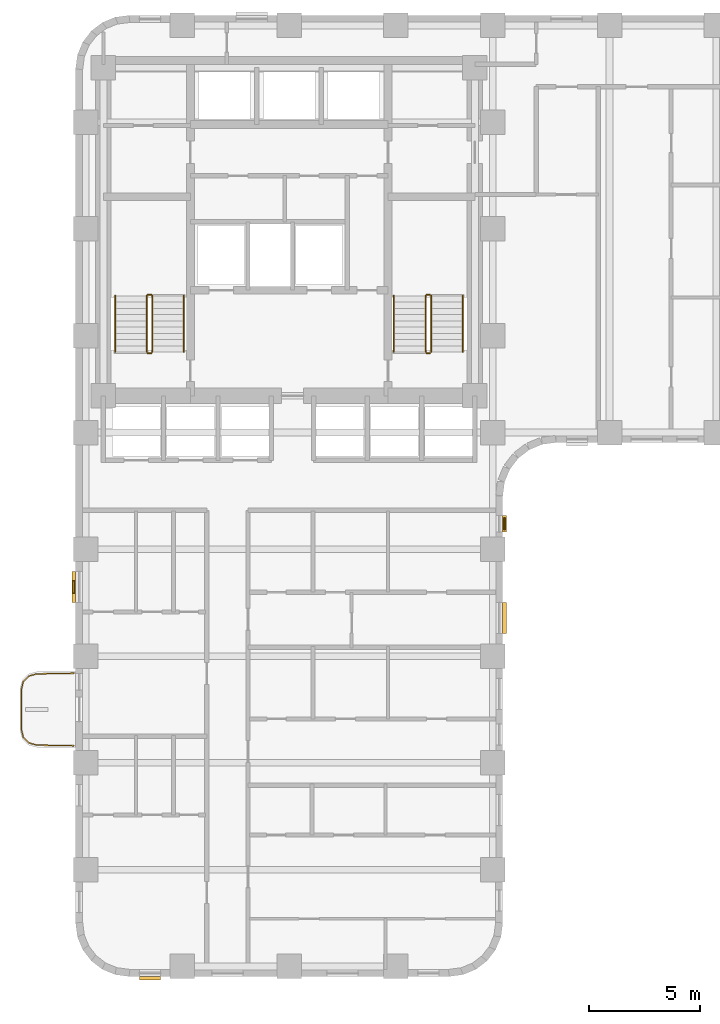
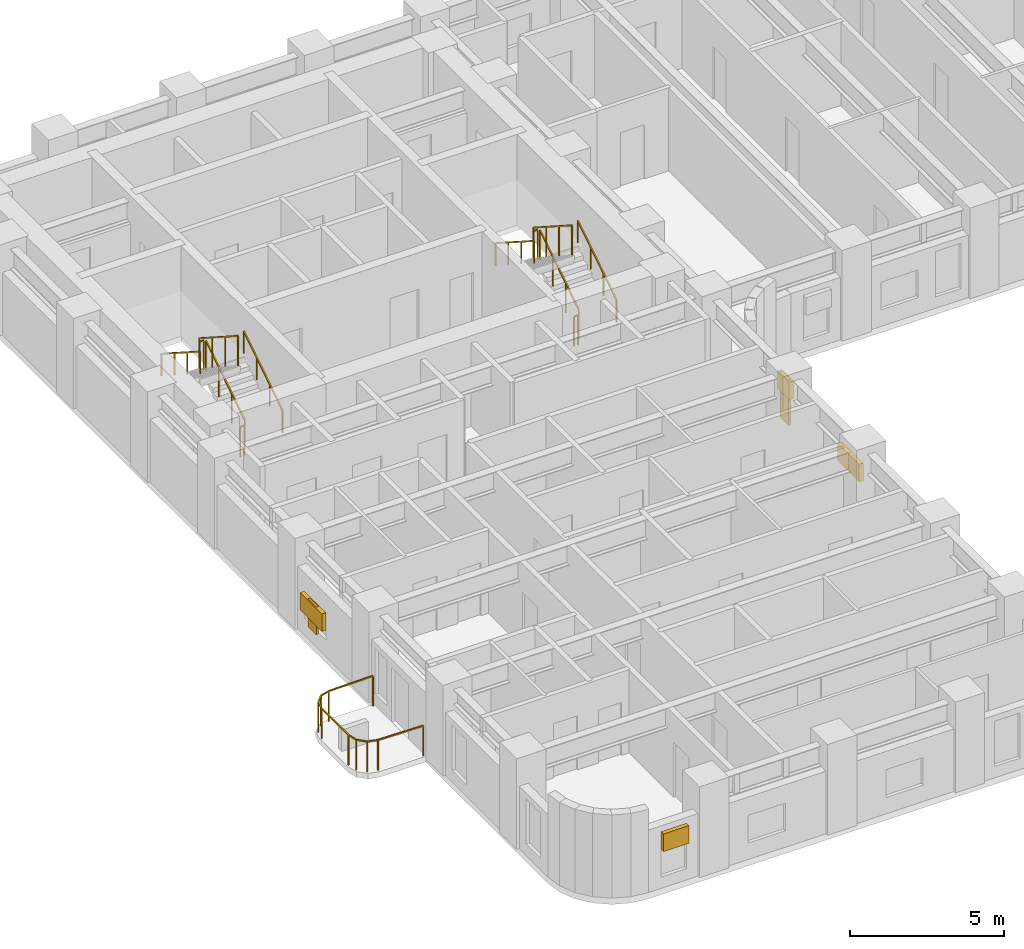
# One storey, part 9 of 11: 13 railings, 6 shading devices.
"""IFC4 building model written with IfcOpenShell, lengths in metres."""

from ifc_helpers import new_model, si_unit, direction, frame, origin, origin_2d, place, context, subcontext, project, spatial, rectangle, extrude, material, type_object, element, save


model = new_model("IFC4")

# Units and contexts
model_context = context("Model", 3, precision=1e-05, world=origin(), true_north=direction((0.0, 1.0)))
body_context = subcontext(model_context, "Body", "Model", "MODEL_VIEW")
ifc_project = project(units=[si_unit("LENGTHUNIT", "METRE"), si_unit("AREAUNIT", "SQUARE_METRE"), si_unit("VOLUMEUNIT", "CUBIC_METRE"), si_unit("PLANEANGLEUNIT", "RADIAN"), si_unit("MASSUNIT", "GRAM", prefix="KILO")], contexts=[model_context])

# Site, building, storey
site_placement = place(None, origin())
site = spatial("IfcSite", under=ifc_project, at=site_placement, CompositionType="ELEMENT")
building_placement = place(site_placement, origin())
building = spatial("IfcBuilding", under=site, at=building_placement, Name="Orvandelia Arch Residences", CompositionType="ELEMENT")
storey_placement = place(building_placement, frame((0.0, 0.0, 93.39990234375)))
storey = spatial("IfcBuildingStorey", under=building, at=storey_placement, Name="L24", CompositionType="ELEMENT", Elevation=93.39990234375)

# Railings
ifc_material_1 = material(Name="Marine-Grade Stainless Steel 316", Category="steel")
railing_type_1 = type_object("IfcRailingType", Name="GRD-BAL-1200", PredefinedType="BALUSTRADE", material=ifc_material_1)
railing_1_placement = place(storey_placement, frame((4.728271484375, 18.430419921875, 0.0)))
element("IfcRailing", 1, at=railing_1_placement, inside=storey, type_object=railing_type_1, Name="Safety Balustrade Guard GRD-L24-BAL-L24-W1-1", PredefinedType="BALUSTRADE", context=body_context, shape_type="SweptSolid", body=[
    extrude(rectangle(XDim=0.048095703125, YDim=0.048095703125, at=origin_2d()), frame((0.0, 0.0, 1.19580078125), z_axis=(-0.999834751713, -0.018178813668, 0.0), x_axis=(0.018178813668, -0.999834751713, 0.0)), (0.0, 0.0, 1.0), 1.6787109375),
    extrude(rectangle(XDim=0.048095703125, YDim=0.048095703125, at=origin_2d()), frame((-1.678466796875, -0.030517578125, 1.19580078125), z_axis=(-0.96348920644, -0.267747173792, 0.0), x_axis=(0.267747173792, -0.96348920644, 0.0)), (0.0, 0.0, 1.0), 0.36572265625),
    extrude(rectangle(XDim=0.048095703125, YDim=0.048095703125, at=origin_2d()), frame((-2.03076171875, -0.12841796875, 1.19580078125), z_axis=(-0.688627404251, -0.725115368831, 0.0), x_axis=(0.725115368831, -0.688627404251, 0.0)), (0.0, 0.0, 1.0), 0.367919921875),
    extrude(rectangle(XDim=0.048095703125, YDim=0.048095703125, at=origin_2d()), frame((-2.2841796875, -0.395263671875, 1.19580078125), z_axis=(-0.220602419982, -0.975363815352, 0.0), x_axis=(0.975363815352, -0.220602419982, 0.0)), (0.0, 0.0, 1.0), 0.373046875),
    extrude(rectangle(XDim=0.048095703125, YDim=0.048095703125, at=origin_2d()), frame((-2.366455078125, -0.759033203125, 1.19580078125), z_axis=(0.0, -1.0, 0.0), x_axis=(1.0, 0.0, 0.0)), (0.0, 0.0, 1.0), 1.74267578125),
    extrude(rectangle(XDim=0.048095703125, YDim=0.048095703125, at=origin_2d()), frame((-2.366455078125, -2.501708984375, 1.19580078125), z_axis=(0.220602419982, -0.975363815352, 0.0), x_axis=(0.975363815352, 0.220602419982, 0.0)), (0.0, 0.0, 1.0), 0.373046875),
    extrude(rectangle(XDim=0.048095703125, YDim=0.048095703125, at=origin_2d()), frame((-2.2841796875, -2.865478515625, 1.19580078125), z_axis=(0.688296224633, -0.725429739642, 0.0), x_axis=(0.725429739642, 0.688296224633, 0.0)), (0.0, 0.0, 1.0), 0.3681640625),
    extrude(rectangle(XDim=0.048095703125, YDim=0.048095703125, at=origin_2d()), frame((-2.03076171875, -3.132568359375, 1.19580078125), z_axis=(0.96348920644, -0.267747173792, 0.0), x_axis=(0.267747173792, 0.96348920644, 0.0)), (0.0, 0.0, 1.0), 0.36572265625),
    extrude(rectangle(XDim=0.048095703125, YDim=0.048095703125, at=origin_2d()), frame((-1.678466796875, -3.23046875, 1.19580078125), z_axis=(0.999837384468, -0.018033430643, 0.0), x_axis=(0.018033430643, 0.999837384468, 0.0)), (0.0, 0.0, 1.0), 1.6787109375),
    extrude(rectangle(XDim=0.0419921875, YDim=0.0419921875, at=origin_2d()), origin(), (0.0, 0.0, 1.0), 1.171875),
    extrude(rectangle(XDim=0.0419921875, YDim=0.0419921875, at=origin_2d()), frame((-1.678466796875, -0.030517578125, 0.0)), (0.0, 0.0, 1.0), 1.171875),
    extrude(rectangle(XDim=0.0419921875, YDim=0.0419921875, at=origin_2d()), frame((-2.03076171875, -0.12841796875, 0.0)), (0.0, 0.0, 1.0), 1.171875),
    extrude(rectangle(XDim=0.0419921875, YDim=0.0419921875, at=origin_2d()), frame((-2.2841796875, -0.395263671875, 0.0)), (0.0, 0.0, 1.0), 1.171875),
    extrude(rectangle(XDim=0.0419921875, YDim=0.0419921875, at=origin_2d()), frame((-2.366455078125, -0.759033203125, 0.0)), (0.0, 0.0, 1.0), 1.171875),
    extrude(rectangle(XDim=0.0419921875, YDim=0.0419921875, at=origin_2d()), frame((-2.366455078125, -2.501708984375, 0.0)), (0.0, 0.0, 1.0), 1.171875),
    extrude(rectangle(XDim=0.0419921875, YDim=0.0419921875, at=origin_2d()), frame((-2.2841796875, -2.865478515625, 0.0)), (0.0, 0.0, 1.0), 1.171875),
    extrude(rectangle(XDim=0.0419921875, YDim=0.0419921875, at=origin_2d()), frame((-2.03076171875, -3.132568359375, 0.0)), (0.0, 0.0, 1.0), 1.171875),
    extrude(rectangle(XDim=0.0419921875, YDim=0.0419921875, at=origin_2d()), frame((-1.678466796875, -3.23046875, 0.0)), (0.0, 0.0, 1.0), 1.171875),
    extrude(rectangle(XDim=0.0419921875, YDim=0.0419921875, at=origin_2d()), frame((0.0, -3.2607421875, 0.0)), (0.0, 0.0, 1.0), 1.171875),
])
ifc_material_2 = material(Name="Brushed Stainless Steel 304", Category="steel")
railing_type_2 = type_object("IfcRailingType", Name="RL-STAIR-GD1120", PredefinedType="GUARDRAIL", material=ifc_material_2)
railing_2_placement = place(storey_placement, frame((8.25, 32.8701171875, 0.18017578125)))
element("IfcRailing", 2, at=railing_2_placement, inside=storey, type_object=railing_type_2, Name="L24 ST-1 stair guard 1", PredefinedType="GUARDRAIL", context=body_context, shape_type="SweptSolid", body=[
    extrude(rectangle(XDim=0.048095703125, YDim=0.048095703125, at=origin_2d()), frame((0.0, 0.0, 1.17578125), z_axis=(0.0, 0.841175827307, 0.540761710511), x_axis=(-1.0, 0.0, 0.0)), (0.0, 0.0, 1.0), 2.99560546875),
    extrude(rectangle(XDim=0.0419921875, YDim=0.0419921875, at=origin_2d()), origin(), (0.0, 0.0, 1.0), 1.15185546875),
    extrude(rectangle(XDim=0.0419921875, YDim=0.0419921875, at=origin_2d()), frame((0.0, 0.83984375, 0.5400390625)), (0.0, 0.0, 1.0), 1.15185546875),
    extrude(rectangle(XDim=0.0419921875, YDim=0.0419921875, at=origin_2d()), frame((0.0, 1.679931640625, 1.079833984375)), (0.0, 0.0, 1.0), 1.15185546875),
    extrude(rectangle(XDim=0.0419921875, YDim=0.0419921875, at=origin_2d()), frame((0.0, 2.519775390625, 1.619873046875)), (0.0, 0.0, 1.0), 1.15185546875),
])
railing_3_placement = place(storey_placement, frame((8.199951171875, 35.43994140625, 1.800048828125)))
element("IfcRailing", 3, at=railing_3_placement, inside=storey, type_object=railing_type_2, Name="L24 ST-1 stair guard 2", PredefinedType="GUARDRAIL", context=body_context, shape_type="SweptSolid", body=[
    extrude(rectangle(XDim=0.048095703125, YDim=0.048095703125, at=origin_2d()), frame((0.0, 0.0, 1.17578125), z_axis=(-1.0, 0.0, 0.0), x_axis=(0.0, -1.0, 0.0)), (0.0, 0.0, 1.0), 0.14990234375),
    extrude(rectangle(XDim=0.0419921875, YDim=0.0419921875, at=origin_2d()), origin(), (0.0, 0.0, 1.0), 1.15185546875),
    extrude(rectangle(XDim=0.0419921875, YDim=0.0419921875, at=origin_2d()), frame((-0.14990234375, 0.0, 0.0)), (0.0, 0.0, 1.0), 1.15185546875),
])
railing_4_placement = place(storey_placement, frame((8.0, 35.389892578125, 1.97998046875)))
element("IfcRailing", 4, at=railing_4_placement, inside=storey, type_object=railing_type_2, Name="L24 ST-1 stair guard 3", PredefinedType="GUARDRAIL", context=body_context, shape_type="SweptSolid", body=[
    extrude(rectangle(XDim=0.048095703125, YDim=0.048095703125, at=origin_2d()), frame((0.0, 0.0, 1.17578125), z_axis=(0.0, -0.841138753965, 0.540819375188), x_axis=(1.0, 0.0, 0.0)), (0.0, 0.0, 1.0), 2.99560546875),
    extrude(rectangle(XDim=0.0419921875, YDim=0.0419921875, at=origin_2d()), origin(), (0.0, 0.0, 1.0), 1.15185546875),
    extrude(rectangle(XDim=0.0419921875, YDim=0.0419921875, at=origin_2d()), frame((0.0, -0.83984375, 0.5400390625)), (0.0, 0.0, 1.0), 1.15185546875),
    extrude(rectangle(XDim=0.0419921875, YDim=0.0419921875, at=origin_2d()), frame((0.0, -1.679931640625, 1.080078125)), (0.0, 0.0, 1.0), 1.15185546875),
    extrude(rectangle(XDim=0.0419921875, YDim=0.0419921875, at=origin_2d()), frame((0.0, -2.519775390625, 1.6201171875)), (0.0, 0.0, 1.0), 1.15185546875),
])
railing_5_placement = place(storey_placement, frame((8.199951171875, 32.820068359375, 0.0)))
element("IfcRailing", 5, at=railing_5_placement, inside=storey, type_object=railing_type_2, Name="L24 ST-1 stair guard 4", PredefinedType="GUARDRAIL", context=body_context, shape_type="SweptSolid", body=[
    extrude(rectangle(XDim=0.048095703125, YDim=0.048095703125, at=origin_2d()), frame((0.0, 0.0, 1.17578125), z_axis=(-1.0, 0.0, 0.0), x_axis=(0.0, -1.0, 0.0)), (0.0, 0.0, 1.0), 0.14990234375),
    extrude(rectangle(XDim=0.0419921875, YDim=0.0419921875, at=origin_2d()), origin(), (0.0, 0.0, 1.0), 1.15185546875),
    extrude(rectangle(XDim=0.0419921875, YDim=0.0419921875, at=origin_2d()), frame((-0.14990234375, 0.0, 0.0)), (0.0, 0.0, 1.0), 1.15185546875),
])
railing_6_placement = place(storey_placement, frame((20.780029296875, 32.8701171875, 0.18017578125)))
element("IfcRailing", 6, at=railing_6_placement, inside=storey, type_object=railing_type_2, Name="L24 ST-2 stair guard 1", PredefinedType="GUARDRAIL", context=body_context, shape_type="SweptSolid", body=[
    extrude(rectangle(XDim=0.048095703125, YDim=0.048095703125, at=origin_2d()), frame((0.0, 0.0, 1.17578125), z_axis=(0.0, 0.841175827307, 0.540761710511), x_axis=(-1.0, 0.0, 0.0)), (0.0, 0.0, 1.0), 2.99560546875),
    extrude(rectangle(XDim=0.0419921875, YDim=0.0419921875, at=origin_2d()), origin(), (0.0, 0.0, 1.0), 1.15185546875),
    extrude(rectangle(XDim=0.0419921875, YDim=0.0419921875, at=origin_2d()), frame((0.0, 0.83984375, 0.5400390625)), (0.0, 0.0, 1.0), 1.15185546875),
    extrude(rectangle(XDim=0.0419921875, YDim=0.0419921875, at=origin_2d()), frame((0.0, 1.679931640625, 1.079833984375)), (0.0, 0.0, 1.0), 1.15185546875),
    extrude(rectangle(XDim=0.0419921875, YDim=0.0419921875, at=origin_2d()), frame((0.0, 2.519775390625, 1.619873046875)), (0.0, 0.0, 1.0), 1.15185546875),
])
railing_7_placement = place(storey_placement, frame((20.72998046875, 35.43994140625, 1.800048828125)))
element("IfcRailing", 7, at=railing_7_placement, inside=storey, type_object=railing_type_2, Name="L24 ST-2 stair guard 2", PredefinedType="GUARDRAIL", context=body_context, shape_type="SweptSolid", body=[
    extrude(rectangle(XDim=0.048095703125, YDim=0.048095703125, at=origin_2d()), frame((0.0, 0.0, 1.17578125), z_axis=(-1.0, 0.0, 0.0), x_axis=(0.0, -1.0, 0.0)), (0.0, 0.0, 1.0), 0.14990234375),
    extrude(rectangle(XDim=0.0419921875, YDim=0.0419921875, at=origin_2d()), origin(), (0.0, 0.0, 1.0), 1.15185546875),
    extrude(rectangle(XDim=0.0419921875, YDim=0.0419921875, at=origin_2d()), frame((-0.14990234375, 0.0, 0.0)), (0.0, 0.0, 1.0), 1.15185546875),
])
railing_8_placement = place(storey_placement, frame((20.530029296875, 35.389892578125, 1.97998046875)))
element("IfcRailing", 8, at=railing_8_placement, inside=storey, type_object=railing_type_2, Name="L24 ST-2 stair guard 3", PredefinedType="GUARDRAIL", context=body_context, shape_type="SweptSolid", body=[
    extrude(rectangle(XDim=0.048095703125, YDim=0.048095703125, at=origin_2d()), frame((0.0, 0.0, 1.17578125), z_axis=(0.0, -0.841138753965, 0.540819375188), x_axis=(1.0, 0.0, 0.0)), (0.0, 0.0, 1.0), 2.99560546875),
    extrude(rectangle(XDim=0.0419921875, YDim=0.0419921875, at=origin_2d()), origin(), (0.0, 0.0, 1.0), 1.15185546875),
    extrude(rectangle(XDim=0.0419921875, YDim=0.0419921875, at=origin_2d()), frame((0.0, -0.83984375, 0.5400390625)), (0.0, 0.0, 1.0), 1.15185546875),
    extrude(rectangle(XDim=0.0419921875, YDim=0.0419921875, at=origin_2d()), frame((0.0, -1.679931640625, 1.080078125)), (0.0, 0.0, 1.0), 1.15185546875),
    extrude(rectangle(XDim=0.0419921875, YDim=0.0419921875, at=origin_2d()), frame((0.0, -2.519775390625, 1.6201171875)), (0.0, 0.0, 1.0), 1.15185546875),
])
railing_9_placement = place(storey_placement, frame((20.72998046875, 32.820068359375, 0.0)))
element("IfcRailing", 9, at=railing_9_placement, inside=storey, type_object=railing_type_2, Name="L24 ST-2 stair guard 4", PredefinedType="GUARDRAIL", context=body_context, shape_type="SweptSolid", body=[
    extrude(rectangle(XDim=0.048095703125, YDim=0.048095703125, at=origin_2d()), frame((0.0, 0.0, 1.17578125), z_axis=(-1.0, 0.0, 0.0), x_axis=(0.0, -1.0, 0.0)), (0.0, 0.0, 1.0), 0.14990234375),
    extrude(rectangle(XDim=0.0419921875, YDim=0.0419921875, at=origin_2d()), origin(), (0.0, 0.0, 1.0), 1.15185546875),
    extrude(rectangle(XDim=0.0419921875, YDim=0.0419921875, at=origin_2d()), frame((-0.14990234375, 0.0, 0.0)), (0.0, 0.0, 1.0), 1.15185546875),
])
railing_type_3 = type_object("IfcRailingType", Name="RL-STAIR-HR920", PredefinedType="HANDRAIL", material=ifc_material_2)
railing_10_placement = place(storey_placement, frame((9.669921875, 32.8701171875, 0.360107421875)))
element("IfcRailing", 10, at=railing_10_placement, inside=storey, type_object=railing_type_3, Name="L24 ST-1 stair handrail 1", PredefinedType="HANDRAIL", context=body_context, shape_type="SweptSolid", body=[
    extrude(rectangle(XDim=0.048095703125, YDim=0.048095703125, at=origin_2d()), frame((0.0, 0.0, 0.8759765625), z_axis=(0.0, 0.841175827307, 0.540761710511), x_axis=(-1.0, 0.0, 0.0)), (0.0, 0.0, 1.0), 2.99560546875),
    extrude(rectangle(XDim=0.0419921875, YDim=0.0419921875, at=origin_2d()), origin(), (0.0, 0.0, 1.0), 0.851806640625),
    extrude(rectangle(XDim=0.0419921875, YDim=0.0419921875, at=origin_2d()), frame((0.0, 0.83984375, 0.5400390625)), (0.0, 0.0, 1.0), 0.851806640625),
    extrude(rectangle(XDim=0.0419921875, YDim=0.0419921875, at=origin_2d()), frame((0.0, 1.679931640625, 1.079833984375)), (0.0, 0.0, 1.0), 0.851806640625),
    extrude(rectangle(XDim=0.0419921875, YDim=0.0419921875, at=origin_2d()), frame((0.0, 2.519775390625, 1.619873046875)), (0.0, 0.0, 1.0), 0.851806640625),
])
railing_11_placement = place(storey_placement, frame((6.580078125, 35.389892578125, 2.16015625)))
element("IfcRailing", 11, at=railing_11_placement, inside=storey, type_object=railing_type_3, Name="L24 ST-1 stair handrail 2", PredefinedType="HANDRAIL", context=body_context, shape_type="SweptSolid", body=[
    extrude(rectangle(XDim=0.048095703125, YDim=0.048095703125, at=origin_2d()), frame((0.0, 0.0, 0.8759765625), z_axis=(0.0, -0.841175827307, 0.540761710511), x_axis=(1.0, 0.0, 0.0)), (0.0, 0.0, 1.0), 2.99560546875),
    extrude(rectangle(XDim=0.0419921875, YDim=0.0419921875, at=origin_2d()), origin(), (0.0, 0.0, 1.0), 0.851806640625),
    extrude(rectangle(XDim=0.0419921875, YDim=0.0419921875, at=origin_2d()), frame((0.0, -0.83984375, 0.5400390625)), (0.0, 0.0, 1.0), 0.851806640625),
    extrude(rectangle(XDim=0.0419921875, YDim=0.0419921875, at=origin_2d()), frame((0.0, -1.679931640625, 1.079833984375)), (0.0, 0.0, 1.0), 0.851806640625),
    extrude(rectangle(XDim=0.0419921875, YDim=0.0419921875, at=origin_2d()), frame((0.0, -2.519775390625, 1.619873046875)), (0.0, 0.0, 1.0), 0.851806640625),
])
railing_12_placement = place(storey_placement, frame((22.199951171875, 32.8701171875, 0.360107421875)))
element("IfcRailing", 12, at=railing_12_placement, inside=storey, type_object=railing_type_3, Name="L24 ST-2 stair handrail 1", PredefinedType="HANDRAIL", context=body_context, shape_type="SweptSolid", body=[
    extrude(rectangle(XDim=0.048095703125, YDim=0.048095703125, at=origin_2d()), frame((0.0, 0.0, 0.8759765625), z_axis=(0.0, 0.841175827307, 0.540761710511), x_axis=(-1.0, 0.0, 0.0)), (0.0, 0.0, 1.0), 2.99560546875),
    extrude(rectangle(XDim=0.0419921875, YDim=0.0419921875, at=origin_2d()), origin(), (0.0, 0.0, 1.0), 0.851806640625),
    extrude(rectangle(XDim=0.0419921875, YDim=0.0419921875, at=origin_2d()), frame((0.0, 0.83984375, 0.5400390625)), (0.0, 0.0, 1.0), 0.851806640625),
    extrude(rectangle(XDim=0.0419921875, YDim=0.0419921875, at=origin_2d()), frame((0.0, 1.679931640625, 1.079833984375)), (0.0, 0.0, 1.0), 0.851806640625),
    extrude(rectangle(XDim=0.0419921875, YDim=0.0419921875, at=origin_2d()), frame((0.0, 2.519775390625, 1.619873046875)), (0.0, 0.0, 1.0), 0.851806640625),
])
railing_13_placement = place(storey_placement, frame((19.110107421875, 35.389892578125, 2.16015625)))
element("IfcRailing", 13, at=railing_13_placement, inside=storey, type_object=railing_type_3, Name="L24 ST-2 stair handrail 2", PredefinedType="HANDRAIL", context=body_context, shape_type="SweptSolid", body=[
    extrude(rectangle(XDim=0.048095703125, YDim=0.048095703125, at=origin_2d()), frame((0.0, 0.0, 0.8759765625), z_axis=(0.0, -0.841175827307, 0.540761710511), x_axis=(1.0, 0.0, 0.0)), (0.0, 0.0, 1.0), 2.99560546875),
    extrude(rectangle(XDim=0.0419921875, YDim=0.0419921875, at=origin_2d()), origin(), (0.0, 0.0, 1.0), 0.851806640625),
    extrude(rectangle(XDim=0.0419921875, YDim=0.0419921875, at=origin_2d()), frame((0.0, -0.83984375, 0.5400390625)), (0.0, 0.0, 1.0), 0.851806640625),
    extrude(rectangle(XDim=0.0419921875, YDim=0.0419921875, at=origin_2d()), frame((0.0, -1.679931640625, 1.079833984375)), (0.0, 0.0, 1.0), 0.851806640625),
    extrude(rectangle(XDim=0.0419921875, YDim=0.0419921875, at=origin_2d()), frame((0.0, -2.519775390625, 1.619873046875)), (0.0, 0.0, 1.0), 0.851806640625),
])

# Shading devices
ifc_material_3 = material(Name="Anodised Champagne-Bronze Extruded Aluminium", Category="aluminium")
shading_device_type_1 = type_object("IfcShadingDeviceType", Name="SHD-JALOUSIE-SCREEN", PredefinedType="JALOUSIE", material=ifc_material_3)
shading_device_1_placement = place(storey_placement, frame((24.080078125, 25.14501953125, 1.55029296875), z_axis=(0.0, 0.0, 1.0), x_axis=(0.0, -1.0, 0.0)))
element("IfcShadingDevice", 14, at=shading_device_1_placement, inside=storey, type_object=shading_device_type_1, Name="Bronze Jalousie Sun-Shade L24-006", PredefinedType="JALOUSIE", context=body_context, shape_type="SweptSolid", body=[
    extrude(rectangle(XDim=0.75, YDim=0.159912109375, at=origin_2d()), origin(), (0.0, 0.0, 1.0), 0.699951171875),
])
shading_device_2_placement = place(storey_placement, frame((24.080078125, 20.919921875, 1.05029296875), z_axis=(0.0, 0.0, 1.0), x_axis=(0.0, -1.0, 0.0)))
element("IfcShadingDevice", 15, at=shading_device_2_placement, inside=storey, type_object=shading_device_type_1, Name="Bronze Jalousie Sun-Shade L24-007", PredefinedType="JALOUSIE", context=body_context, shape_type="SweptSolid", body=[
    extrude(rectangle(XDim=1.39990234375, YDim=0.159912109375, at=origin_2d()), origin(), (0.0, 0.0, 1.0), 0.699951171875),
])
shading_device_3_placement = place(storey_placement, frame((8.14501953125, 4.719970703125, 1.55029296875), z_axis=(0.0, 0.0, 1.0), x_axis=(-1.0, 0.0, 0.0)))
element("IfcShadingDevice", 16, at=shading_device_3_placement, inside=storey, type_object=shading_device_type_1, Name="Bronze Jalousie Sun-Shade L24-008", PredefinedType="JALOUSIE", context=body_context, shape_type="SweptSolid", body=[
    extrude(rectangle(XDim=0.949951171875, YDim=0.159912109375, at=origin_2d()), origin(), (0.0, 0.0, 1.0), 0.699951171875),
])
shading_device_4_placement = place(storey_placement, frame((4.719970703125, 22.31005859375, 1.05029296875), z_axis=(0.0, 0.0, 1.0), x_axis=(0.0, 1.0, 0.0)))
element("IfcShadingDevice", 17, at=shading_device_4_placement, inside=storey, type_object=shading_device_type_1, Name="Bronze Jalousie Sun-Shade L24-009", PredefinedType="JALOUSIE", context=body_context, shape_type="SweptSolid", body=[
    extrude(rectangle(XDim=1.39990234375, YDim=0.159912109375, at=origin_2d()), origin(), (0.0, 0.0, 1.0), 0.699951171875),
])
ifc_material_4 = material(Name="Marine-Grade Perforated Aluminium Storm Shutter", Category="aluminium")
shading_device_type_2 = type_object("IfcShadingDeviceType", Name="SHD-STORM-SHUTTER", PredefinedType="SHUTTER", material=ifc_material_4)
shading_device_5_placement = place(storey_placement, frame((24.080078125, 25.14501953125, 0.4501953125), z_axis=(0.0, 0.0, 1.0), x_axis=(0.0, -1.0, 0.0)))
element("IfcShadingDevice", 18, at=shading_device_5_placement, inside=storey, type_object=shading_device_type_2, Name="Operable Typhoon Storm Shutter L24-006", PredefinedType="SHUTTER", context=body_context, shape_type="SweptSolid", body=[
    extrude(rectangle(XDim=0.550048828125, YDim=0.080078125, at=origin_2d()), origin(), (0.0, 0.0, 1.0), 1.800048828125),
])
shading_device_6_placement = place(storey_placement, frame((4.719970703125, 22.31005859375, 0.650146484375), z_axis=(0.0, 0.0, 1.0), x_axis=(0.0, 1.0, 0.0)))
element("IfcShadingDevice", 19, at=shading_device_6_placement, inside=storey, type_object=shading_device_type_2, Name="Operable Typhoon Storm Shutter L24-009", PredefinedType="SHUTTER", context=body_context, shape_type="SweptSolid", body=[
    extrude(rectangle(XDim=0.550048828125, YDim=0.080078125, at=origin_2d()), origin(), (0.0, 0.0, 1.0), 1.10009765625),
])

save(model, "model.ifc")
